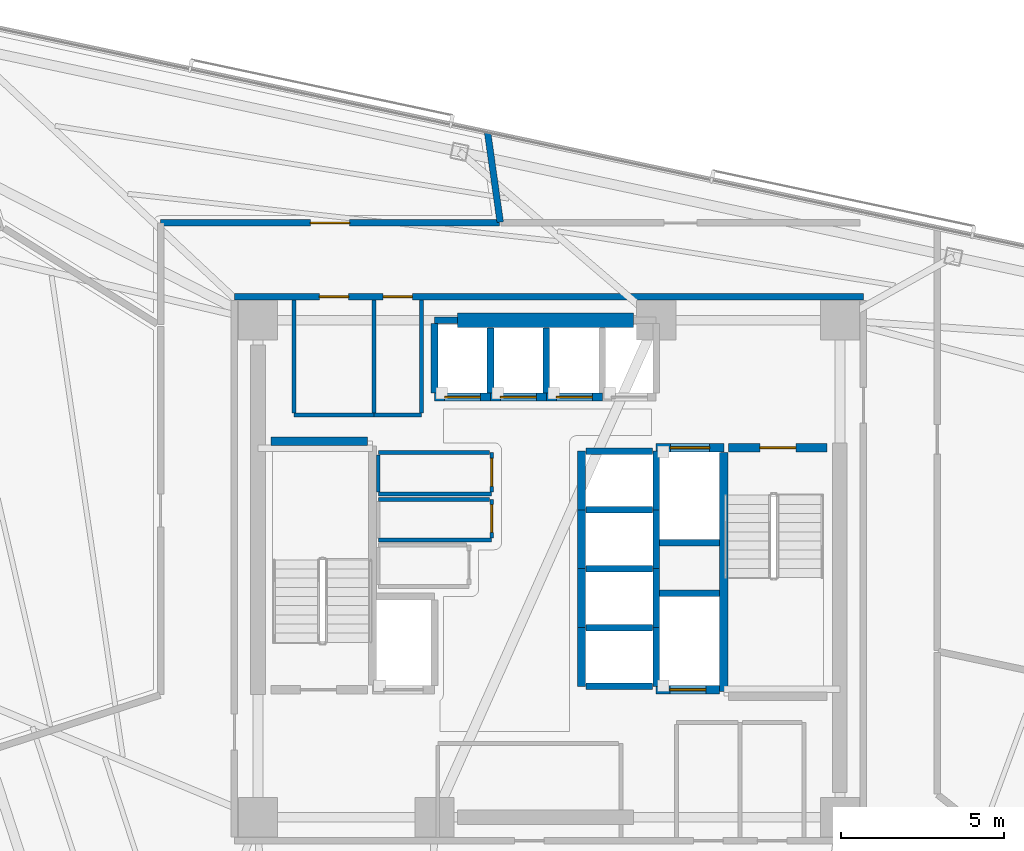
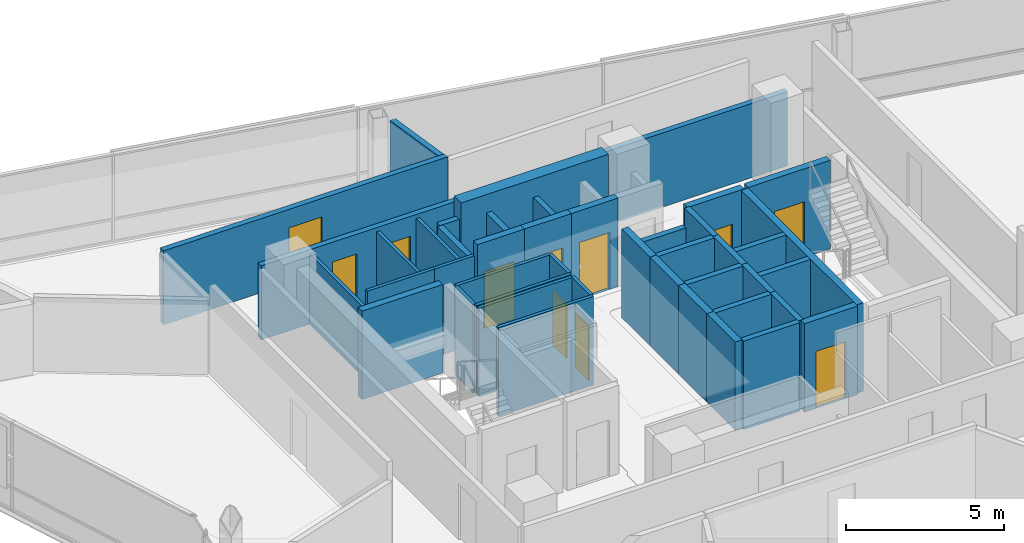
# One storey, part 11 of 17: 43 walls, 11 doors, 11 openings.
"""IFC4 building model written with IfcOpenShell, lengths in metres."""

from ifc_helpers import new_model, si_unit, direction, frame, frame_2d, origin, place, context, subcontext, project, spatial, rectangle, extrude, material, layer, layer_set, type_object, element, fill, save


model = new_model("IFC4")

# Units and contexts
model_context = context("Model", 3, precision=1e-05, world=origin(), true_north=direction((0.0, 1.0)))
body_context = subcontext(model_context, "Body", "Model", "MODEL_VIEW")
ifc_project = project(units=[si_unit("LENGTHUNIT", "METRE"), si_unit("AREAUNIT", "SQUARE_METRE"), si_unit("VOLUMEUNIT", "CUBIC_METRE"), si_unit("PLANEANGLEUNIT", "RADIAN"), si_unit("MASSUNIT", "GRAM", prefix="KILO")], contexts=[model_context])

# Site, building, storey
site_placement = place(None, origin())
site = spatial("IfcSite", under=ifc_project, at=site_placement, CompositionType="ELEMENT")
building_placement = place(site_placement, origin())
building = spatial("IfcBuilding", under=site, at=building_placement, Name="Tharavind Bronze Gate", CompositionType="ELEMENT")
storey_placement = place(building_placement, frame((0.0, 0.0, 207.64990234375)))
storey = spatial("IfcBuildingStorey", under=building, at=storey_placement, Name="L53", CompositionType="ELEMENT", Elevation=207.64990234375)

# Wall, openings, doors
ifc_material_1 = material(Name="Aerated Concrete Block", Category="concrete")
ifc_layer_1 = layer(ifc_material_1, 0.199951171875)
ifc_layer_set_1 = layer_set([ifc_layer_1], Name="Aerated Concrete Block")
wall_type_1 = type_object("IfcWallType", Name="FIRE RATED PARTITION 200", PredefinedType="PARTITIONING", material=ifc_layer_set_1)
wall_1_placement = place(storey_placement, frame((9.6201171875, 8.320068359375, 0.0), z_axis=(0.0, 0.0, 1.0), x_axis=(-1.0, 0.0, 0.0)))
wall_1 = element("IfcWall", 1, at=wall_1_placement, inside=storey, type_object=wall_type_1, Name="L53 north core corridor wall", PredefinedType="PARTITIONING", context=body_context, shape_type="SweptSolid", body=[
    extrude(rectangle(XDim=19.240234375, YDim=0.199951171875, at=frame_2d((9.6201171875, 0.0))), origin(), (0.0, 0.0, 1.0), 2.864990234375),
])
opening_1_placement = place(wall_1_placement, frame((15.7451171875, 0.0, 0.0)))
opening_1 = element("IfcOpeningElement", 2, at=opening_1_placement, cuts=wall_1, Name="Opening ID07", PredefinedType="OPENING", context=body_context, shape_type="SweptSolid", body=[
    extrude(rectangle(XDim=0.89990234375, YDim=2.10009765625, at=frame_2d((0.449951171875, 1.050048828125))), frame((0.0, 0.11009765625, 0.0), z_axis=(0.0, -1.0, 0.0), x_axis=(1.0, 0.0, 0.0)), (0.0, 0.0, 1.0), 0.219951171875),
])
opening_2_placement = place(wall_1_placement, frame((13.794921875, 0.0, 0.0)))
opening_2 = element("IfcOpeningElement", 3, at=opening_2_placement, cuts=wall_1, Name="Opening ID07", PredefinedType="OPENING", context=body_context, shape_type="SweptSolid", body=[
    extrude(rectangle(XDim=0.89990234375, YDim=2.10009765625, at=frame_2d((0.449951171875, 1.050048828125))), frame((0.0, 0.11009765625, 0.0), z_axis=(0.0, -1.0, 0.0), x_axis=(1.0, 0.0, 0.0)), (0.0, 0.0, 1.0), 0.219951171875),
])
ifc_material_2 = material(Name="Galvanised Fire Steel", Category="steel")
door_type_1 = type_object("IfcDoorType", Name="PLANT AND RISER FIRE DOOR 900X2100", OperationType="SINGLE_SWING_LEFT", PredefinedType="DOOR", material=ifc_material_2)
door_1_placement = place(opening_1_placement, origin())
door_1 = element("IfcDoor", 4, at=door_1_placement, inside=storey, type_object=door_type_1, Name="L53 Electrical Metering Room fire door", OperationType="SINGLE_SWING_LEFT", OverallHeight=2.10009765625, OverallWidth=0.89990234375, PredefinedType="DOOR", context=body_context, shape_type="SweptSolid", body=[
    extrude(rectangle(XDim=0.89990234375, YDim=2.10009765625, at=frame_2d((0.449951171875, 1.050048828125))), frame((0.0, 0.02490234375, 0.0), z_axis=(0.0, -1.0, 0.0), x_axis=(1.0, 0.0, 0.0)), (0.0, 0.0, 1.0), 0.050048828125),
])
fill(opening_1, door_1)
door_2_placement = place(opening_2_placement, origin())
door_2 = element("IfcDoor", 5, at=door_2_placement, inside=storey, type_object=door_type_1, Name="L53 Linen Cupboard fire door", OperationType="SINGLE_SWING_LEFT", OverallHeight=2.10009765625, OverallWidth=0.89990234375, PredefinedType="DOOR", context=body_context, shape_type="SweptSolid", body=[
    extrude(rectangle(XDim=0.89990234375, YDim=2.10009765625, at=frame_2d((0.449951171875, 1.050048828125))), frame((0.0, 0.02490234375, 0.0), z_axis=(0.0, -1.0, 0.0), x_axis=(1.0, 0.0, 0.0)), (0.0, 0.0, 1.0), 0.050048828125),
])
fill(opening_2, door_2)

# Wall
wall_2_placement = place(storey_placement, frame((-1.489990234375, 10.6015625, 0.0), z_axis=(0.0, 0.0, 1.0), x_axis=(-0.139168128583, 0.990268767551, 0.0)))
element("IfcWall", 6, at=wall_2_placement, inside=storey, type_object=wall_type_1, Name="L53 Upper Zone Open Office partition", PredefinedType="PARTITIONING", context=body_context, shape_type="SweptSolid", body=[
    extrude(rectangle(XDim=2.76123046875, YDim=0.199951171875, at=frame_2d((1.380615234375, 0.0))), origin(), (0.0, 0.0, 1.0), 2.715087890625),
])

# Wall, opening, door
wall_3_placement = place(storey_placement, frame((-1.515625, 10.580078125, 0.0), z_axis=(0.0, 0.0, 1.0), x_axis=(-1.0, 0.0, 0.0)))
wall_3 = element("IfcWall", 7, at=wall_3_placement, inside=storey, type_object=wall_type_1, Name="L53 Panoramic Boardroom partition", PredefinedType="PARTITIONING", context=body_context, shape_type="SweptSolid", body=[
    extrude(rectangle(XDim=10.36376953125, YDim=0.199951171875, at=frame_2d((5.181884765625, 0.0))), origin(), (0.0, 0.0, 1.0), 2.864990234375),
])
opening_3_placement = place(wall_3_placement, frame((4.58203125, 0.0, 0.0)))
opening_3 = element("IfcOpeningElement", 8, at=opening_3_placement, cuts=wall_3, Name="Opening ID05", PredefinedType="OPENING", context=body_context, shape_type="SweptSolid", body=[
    extrude(rectangle(XDim=1.199951171875, YDim=2.14990234375, at=frame_2d((0.60009765625, 1.074951171875))), frame((0.0, 0.11009765625, 0.0), z_axis=(0.0, -1.0, 0.0), x_axis=(1.0, 0.0, 0.0)), (0.0, 0.0, 1.0), 0.219951171875),
])
ifc_material_3 = material(Name="Acoustic Laminated Glass", Category="glass")
door_type_2 = type_object("IfcDoorType", Name="MEETING ROOM GLAZED DOOR 1200X2150", OperationType="SINGLE_SWING_LEFT", PredefinedType="DOOR", material=ifc_material_3)
door_3_placement = place(opening_3_placement, origin())
door_3 = element("IfcDoor", 9, at=door_3_placement, inside=storey, type_object=door_type_2, Name="L53 Panoramic Boardroom door", OperationType="SINGLE_SWING_LEFT", OverallHeight=2.14990234375, OverallWidth=1.199951171875, PredefinedType="DOOR", context=body_context, shape_type="SweptSolid", body=[
    extrude(rectangle(XDim=1.199951171875, YDim=2.14990234375, at=frame_2d((0.60009765625, 1.074951171875))), frame((0.0, 0.02490234375, 0.0), z_axis=(0.0, -1.0, 0.0), x_axis=(1.0, 0.0, 0.0)), (0.0, 0.0, 1.0), 0.050048828125),
])
fill(opening_3, door_3)

# Wall
ifc_material_4 = material(Name="Metal Stud Gypsum Partition", Category="gypsum")
ifc_layer_2 = layer(ifc_material_4, 0.1201171875)
ifc_layer_set_2 = layer_set([ifc_layer_2], Name="Metal Stud Gypsum Partition")
wall_type_2 = type_object("IfcWallType", Name="INTERIOR PARTITION WALL 120", PredefinedType="PARTITIONING", material=ifc_layer_set_2)
wall_4_placement = place(storey_placement, frame((-5.219970703125, 2.280029296875, 0.0), z_axis=(0.0, 0.0, 1.0), x_axis=(1.0, 0.0, 0.0)))
element("IfcWall", 10, at=wall_4_placement, inside=storey, type_object=wall_type_2, Name="L53 Housekeeping Linen Store partition 1", PredefinedType="PARTITIONING", context=body_context, shape_type="SweptSolid", body=[
    extrude(rectangle(XDim=3.469970703125, YDim=0.1201171875, at=frame_2d((1.73486328125, 0.0))), origin(), (0.0, 0.0, 1.0), 3.420166015625),
])

# Wall, opening, door
wall_5_placement = place(storey_placement, frame((-1.75, 2.344970703125, 0.0), z_axis=(0.0, 0.0, 1.0), x_axis=(0.0, 1.0, 0.0)))
wall_5 = element("IfcWall", 11, at=wall_5_placement, inside=storey, type_object=wall_type_2, Name="L53 Housekeeping Linen Store partition 2", PredefinedType="PARTITIONING", context=body_context, shape_type="SweptSolid", body=[
    extrude(rectangle(XDim=1.205078125, YDim=0.1201171875, at=frame_2d((0.6025390625, 0.0))), origin(), (0.0, 0.0, 1.0), 3.420166015625),
])
opening_4_placement = place(wall_5_placement, frame((0.177001953125, 0.0, 0.0)))
opening_4 = element("IfcOpeningElement", 12, at=opening_4_placement, cuts=wall_5, Name="Opening ID06", PredefinedType="OPENING", context=body_context, shape_type="SweptSolid", body=[
    extrude(rectangle(XDim=0.85009765625, YDim=2.10009765625, at=frame_2d((0.425048828125, 1.050048828125))), frame((0.0, 0.07005859375, 0.0), z_axis=(0.0, -1.0, 0.0), x_axis=(1.0, 0.0, 0.0)), (0.0, 0.0, 1.0), 0.1401171875),
])
ifc_material_5 = material(Name="Moisture-Resistant Timber", Category="wood")
door_type_3 = type_object("IfcDoorType", Name="BATHROOM PRIVACY DOOR 850X2100", OperationType="SINGLE_SWING_RIGHT", PredefinedType="DOOR", material=ifc_material_5)
door_4_placement = place(opening_4_placement, frame((0.85009765625, 0.0, 0.0), z_axis=(0.0, 0.0, 1.0), x_axis=(-1.0, 0.0, 0.0)))
door_4 = element("IfcDoor", 13, at=door_4_placement, inside=storey, type_object=door_type_3, Name="L53 Housekeeping Linen Store door", OperationType="SINGLE_SWING_RIGHT", OverallHeight=2.10009765625, OverallWidth=0.85009765625, PredefinedType="DOOR", context=body_context, shape_type="SweptSolid", body=[
    extrude(rectangle(XDim=0.85009765625, YDim=2.10009765625, at=frame_2d((0.425048828125, 1.050048828125))), frame((0.0, 0.02490234375, 0.0), z_axis=(0.0, -1.0, 0.0), x_axis=(1.0, 0.0, 0.0)), (0.0, 0.0, 1.0), 0.050048828125),
])
fill(opening_4, door_4)

# Walls
wall_6_placement = place(storey_placement, frame((-1.81494140625, 3.550048828125, 0.0), z_axis=(0.0, 0.0, 1.0), x_axis=(-1.0, 0.0, 0.0)))
element("IfcWall", 14, at=wall_6_placement, inside=storey, type_object=wall_type_2, Name="L53 Housekeeping Linen Store partition 3", PredefinedType="PARTITIONING", context=body_context, shape_type="SweptSolid", body=[
    extrude(rectangle(XDim=3.405029296875, YDim=0.1201171875, at=frame_2d((1.70263671875, 0.0))), origin(), (0.0, 0.0, 1.0), 3.420166015625),
])
wall_7_placement = place(storey_placement, frame((-5.219970703125, 3.485107421875, 0.0), z_axis=(0.0, 0.0, 1.0), x_axis=(0.0, -1.0, 0.0)))
element("IfcWall", 15, at=wall_7_placement, inside=storey, type_object=wall_type_2, Name="L53 Housekeeping Linen Store partition 4", PredefinedType="PARTITIONING", context=body_context, shape_type="SweptSolid", body=[
    extrude(rectangle(XDim=1.14013671875, YDim=0.1201171875, at=frame_2d((0.570068359375, 0.0))), origin(), (0.0, 0.0, 1.0), 3.420166015625),
])
wall_8_placement = place(storey_placement, frame((-5.219970703125, 0.8798828125, 0.0), z_axis=(0.0, 0.0, 1.0), x_axis=(1.0, 0.0, 0.0)))
element("IfcWall", 16, at=wall_8_placement, inside=storey, type_object=wall_type_2, Name="L53 Comms Data Room partition 1", PredefinedType="PARTITIONING", context=body_context, shape_type="SweptSolid", body=[
    extrude(rectangle(XDim=3.469970703125, YDim=0.1201171875, at=frame_2d((1.73486328125, 0.0))), origin(), (0.0, 0.0, 1.0), 3.420166015625),
])

# Wall, opening, door
wall_9_placement = place(storey_placement, frame((-1.75, 0.945068359375, 0.0), z_axis=(0.0, 0.0, 1.0), x_axis=(0.0, 1.0, 0.0)))
wall_9 = element("IfcWall", 17, at=wall_9_placement, inside=storey, type_object=wall_type_2, Name="L53 Comms Data Room partition 2", PredefinedType="PARTITIONING", context=body_context, shape_type="SweptSolid", body=[
    extrude(rectangle(XDim=1.175048828125, YDim=0.1201171875, at=frame_2d((0.58740234375, 0.0))), origin(), (0.0, 0.0, 1.0), 3.420166015625),
])
opening_5_placement = place(wall_9_placement, frame((0.1630859375, 0.0, 0.0)))
opening_5 = element("IfcOpeningElement", 18, at=opening_5_placement, cuts=wall_9, Name="Opening ID06", PredefinedType="OPENING", context=body_context, shape_type="SweptSolid", body=[
    extrude(rectangle(XDim=0.85009765625, YDim=2.10009765625, at=frame_2d((0.425048828125, 1.050048828125))), frame((0.0, 0.07005859375, 0.0), z_axis=(0.0, -1.0, 0.0), x_axis=(1.0, 0.0, 0.0)), (0.0, 0.0, 1.0), 0.1401171875),
])
door_5_placement = place(opening_5_placement, frame((0.85009765625, 0.0, 0.0), z_axis=(0.0, 0.0, 1.0), x_axis=(-1.0, 0.0, 0.0)))
door_5 = element("IfcDoor", 19, at=door_5_placement, inside=storey, type_object=door_type_3, Name="L53 Comms Data Room door", OperationType="SINGLE_SWING_RIGHT", OverallHeight=2.10009765625, OverallWidth=0.85009765625, PredefinedType="DOOR", context=body_context, shape_type="SweptSolid", body=[
    extrude(rectangle(XDim=0.85009765625, YDim=2.10009765625, at=frame_2d((0.425048828125, 1.050048828125))), frame((0.0, 0.02490234375, 0.0), z_axis=(0.0, -1.0, 0.0), x_axis=(1.0, 0.0, 0.0)), (0.0, 0.0, 1.0), 0.050048828125),
])
fill(opening_5, door_5)

# Walls
wall_10_placement = place(storey_placement, frame((-1.81494140625, 2.1201171875, 0.0), z_axis=(0.0, 0.0, 1.0), x_axis=(-1.0, 0.0, 0.0)))
element("IfcWall", 20, at=wall_10_placement, inside=storey, type_object=wall_type_2, Name="L53 Comms Data Room partition 3", PredefinedType="PARTITIONING", context=body_context, shape_type="SweptSolid", body=[
    extrude(rectangle(XDim=3.405029296875, YDim=0.1201171875, at=frame_2d((1.70263671875, 0.0))), origin(), (0.0, 0.0, 1.0), 3.420166015625),
])
wall_11_placement = place(storey_placement, frame((-7.800048828125, 4.699951171875, 0.0), z_axis=(0.0, 0.0, 1.0), x_axis=(1.0, 0.0, 0.0)))
element("IfcWall", 21, at=wall_11_placement, inside=storey, type_object=wall_type_2, Name="L53 Electrical Metering Room partition 1", PredefinedType="PARTITIONING", context=body_context, shape_type="SweptSolid", body=[
    extrude(rectangle(XDim=2.449951171875, YDim=0.1201171875, at=frame_2d((1.22509765625, 0.0))), origin(), (0.0, 0.0, 1.0), 3.420166015625),
])
for number, where, z_axis, x_axis, name in (
    (22, (-5.35009765625, 4.764892578125, 0.0), (0.0, 0.0, 1.0), (0.0, 1.0, 0.0), "L53 Electrical Metering Room partition 2"),
    (23, (-7.800048828125, 8.215087890625, 0.0), (0.0, 0.0, 1.0), (0.0, -1.0, 0.0), "L53 Electrical Metering Room partition 4"),
):
    element("IfcWall", number, at=place(storey_placement, frame(where, z_axis=z_axis, x_axis=x_axis)), inside=storey, type_object=wall_type_2, Name=name, PredefinedType="PARTITIONING", context=body_context, shape_type="SweptSolid", body=[
        extrude(rectangle(XDim=3.4501953125, YDim=0.1201171875, at=frame_2d((1.72509765625, 0.0))), origin(), (0.0, 0.0, 1.0), 2.715087890625),
    ])
wall_12_placement = place(storey_placement, frame((-5.35009765625, 4.699951171875, 0.0), z_axis=(0.0, 0.0, 1.0), x_axis=(1.0, 0.0, 0.0)))
element("IfcWall", 24, at=wall_12_placement, inside=storey, type_object=wall_type_2, Name="L53 Linen Cupboard partition 1", PredefinedType="PARTITIONING", context=body_context, shape_type="SweptSolid", body=[
    extrude(rectangle(XDim=1.4501953125, YDim=0.1201171875, at=frame_2d((0.72509765625, 0.0))), origin(), (0.0, 0.0, 1.0), 3.420166015625),
])
wall_13_placement = place(storey_placement, frame((-3.89990234375, 4.764892578125, 0.0), z_axis=(0.0, 0.0, 1.0), x_axis=(0.0, 1.0, 0.0)))
element("IfcWall", 25, at=wall_13_placement, inside=storey, type_object=wall_type_2, Name="L53 Linen Cupboard partition 2", PredefinedType="PARTITIONING", context=body_context, shape_type="SweptSolid", body=[
    extrude(rectangle(XDim=3.4501953125, YDim=0.1201171875, at=frame_2d((1.72509765625, 0.0))), origin(), (0.0, 0.0, 1.0), 2.715087890625),
])
ifc_material_6 = material(Name="Concrete C50/60", Category="concrete")
ifc_layer_3 = layer(ifc_material_6, 0.25)
ifc_layer_set_3 = layer_set([ifc_layer_3], Name="Concrete C50/60")
wall_type_3 = type_object("IfcWallType", Name="RC CORE SHEAR WALL 250", PredefinedType="SHEAR", material=ifc_layer_set_3)
wall_14_placement = place(storey_placement, frame((-8.5, 3.89990234375, 0.0), z_axis=(0.0, 0.0, 1.0), x_axis=(1.0, 0.0, 0.0)))
element("IfcWall", 26, at=wall_14_placement, inside=storey, type_object=wall_type_3, Name="L53 ST1 shaft north wall", PredefinedType="SHEAR", context=body_context, shape_type="SweptSolid", body=[
    extrude(rectangle(XDim=2.949951171875, YDim=0.25, at=frame_2d((1.47509765625, 0.0))), origin(), (0.0, 0.0, 1.0), 3.420166015625),
])
wall_15_placement = place(storey_placement, frame((5.35009765625, -3.75, 0.0), z_axis=(0.0, 0.0, 1.0), x_axis=(0.0, 1.0, 0.0)))
element("IfcWall", 27, at=wall_15_placement, inside=storey, type_object=wall_type_3, Name="L53 ST2 shaft west wall", PredefinedType="SHEAR", context=body_context, shape_type="SweptSolid", body=[
    extrude(rectangle(XDim=7.300048828125, YDim=0.25, at=frame_2d((3.64990234375, 0.0))), origin(), (0.0, 0.0, 1.0), 3.420166015625),
])

# Wall, opening, door
wall_16_placement = place(storey_placement, frame((5.5, 3.699951171875, 0.0), z_axis=(0.0, 0.0, 1.0), x_axis=(1.0, 0.0, 0.0)))
wall_16 = element("IfcWall", 28, at=wall_16_placement, inside=storey, type_object=wall_type_3, Name="L53 ST2 shaft north wall", PredefinedType="SHEAR", context=body_context, shape_type="SweptSolid", body=[
    extrude(rectangle(XDim=3.0, YDim=0.25, at=frame_2d((1.5, 0.0))), origin(), (0.0, 0.0, 1.0), 3.420166015625),
])
opening_6_placement = place(wall_16_placement, frame((0.949951171875, 0.0, 0.0)))
opening_6 = element("IfcOpeningElement", 29, at=opening_6_placement, cuts=wall_16, Name="Opening ID01", PredefinedType="OPENING", context=body_context, shape_type="SweptSolid", body=[
    extrude(rectangle(XDim=1.10009765625, YDim=2.14990234375, at=frame_2d((0.550048828125, 1.074951171875))), frame((0.0, 0.135, 0.0), z_axis=(0.0, -1.0, 0.0), x_axis=(1.0, 0.0, 0.0)), (0.0, 0.0, 1.0), 0.27),
])
ifc_material_7 = material(Name="Fire-Rated Steel", Category="steel")
door_type_4 = type_object("IfcDoorType", Name="STAIR CORE FIRE DOOR 1100X2150", OperationType="SINGLE_SWING_LEFT", PredefinedType="DOOR", material=ifc_material_7)
door_6_placement = place(opening_6_placement, frame((1.10009765625, 0.0, 0.0), z_axis=(0.0, 0.0, 1.0), x_axis=(-1.0, 0.0, 0.0)))
door_6 = element("IfcDoor", 30, at=door_6_placement, inside=storey, type_object=door_type_4, Name="L53 exit stair ST2 fire door", OperationType="SINGLE_SWING_LEFT", OverallHeight=2.14990234375, OverallWidth=1.10009765625, PredefinedType="DOOR", context=body_context, shape_type="SweptSolid", body=[
    extrude(rectangle(XDim=1.10009765625, YDim=2.14990234375, at=frame_2d((0.550048828125, 1.074951171875))), frame((0.0, 0.02490234375, 0.0), z_axis=(0.0, -1.0, 0.0), x_axis=(1.0, 0.0, 0.0)), (0.0, 0.0, 1.0), 0.050048828125),
])
fill(opening_6, door_6)

wall_17_placement = place(storey_placement, frame((-3.5, 5.25, 0.0), z_axis=(0.0, 0.0, 1.0), x_axis=(1.0, 0.0, 0.0)))
wall_17 = element("IfcWall", 31, at=wall_17_placement, inside=storey, type_object=wall_type_3, Name="L53 lift PL5 shaft front wall", PredefinedType="SHEAR", context=body_context, shape_type="SweptSolid", body=[
    extrude(rectangle(XDim=1.71240234375, YDim=0.25, at=frame_2d((0.856201171875, 0.0))), origin(), (0.0, 0.0, 1.0), 3.420166015625),
])
opening_7_placement = place(wall_17_placement, frame((0.305908203125, 0.0, 0.0)))
opening_7 = element("IfcOpeningElement", 32, at=opening_7_placement, cuts=wall_17, Name="Opening LD01", PredefinedType="OPENING", context=body_context, shape_type="SweptSolid", body=[
    extrude(rectangle(XDim=1.10009765625, YDim=2.199951171875, at=frame_2d((0.550048828125, 1.10009765625))), frame((0.0, 0.135, 0.0), z_axis=(0.0, -1.0, 0.0), x_axis=(1.0, 0.0, 0.0)), (0.0, 0.0, 1.0), 0.27),
])
ifc_material_8 = material(Name="Brushed Bronze Stainless Steel", Category="steel")
door_type_5 = type_object("IfcDoorType", Name="LIFT LANDING SLIDING DOOR 1100X2200", OperationType="SLIDING_TO_LEFT", PredefinedType="DOOR", material=ifc_material_8)
door_7_placement = place(opening_7_placement, origin())
door_7 = element("IfcDoor", 33, at=door_7_placement, inside=storey, type_object=door_type_5, Name="L53 lift PL5 sliding landing door", OperationType="SLIDING_TO_LEFT", OverallHeight=2.199951171875, OverallWidth=1.10009765625, PredefinedType="DOOR", context=body_context, shape_type="SweptSolid", body=[
    extrude(rectangle(XDim=1.10009765625, YDim=2.199951171875, at=frame_2d((0.550048828125, 1.10009765625))), frame((0.0, 0.02490234375, 0.0), z_axis=(0.0, -1.0, 0.0), x_axis=(1.0, 0.0, 0.0)), (0.0, 0.0, 1.0), 0.050048828125),
])
fill(opening_7, door_7)

wall_18_placement = place(storey_placement, frame((-1.78759765625, 5.25, 0.0), z_axis=(0.0, 0.0, 1.0), x_axis=(1.0, 0.0, 0.0)))
wall_18 = element("IfcWall", 34, at=wall_18_placement, inside=storey, type_object=wall_type_3, Name="L53 lift PL6 shaft front wall", PredefinedType="SHEAR", context=body_context, shape_type="SweptSolid", body=[
    extrude(rectangle(XDim=1.712646484375, YDim=0.25, at=frame_2d((0.8564453125, 0.0))), origin(), (0.0, 0.0, 1.0), 3.420166015625),
])
opening_8_placement = place(wall_18_placement, frame((0.305908203125, 0.0, 0.0)))
opening_8 = element("IfcOpeningElement", 35, at=opening_8_placement, cuts=wall_18, Name="Opening LD01", PredefinedType="OPENING", context=body_context, shape_type="SweptSolid", body=[
    extrude(rectangle(XDim=1.10009765625, YDim=2.199951171875, at=frame_2d((0.550048828125, 1.10009765625))), frame((0.0, 0.135, 0.0), z_axis=(0.0, -1.0, 0.0), x_axis=(1.0, 0.0, 0.0)), (0.0, 0.0, 1.0), 0.27),
])
door_8_placement = place(opening_8_placement, origin())
door_8 = element("IfcDoor", 36, at=door_8_placement, inside=storey, type_object=door_type_5, Name="L53 lift PL6 sliding landing door", OperationType="SLIDING_TO_LEFT", OverallHeight=2.199951171875, OverallWidth=1.10009765625, PredefinedType="DOOR", context=body_context, shape_type="SweptSolid", body=[
    extrude(rectangle(XDim=1.10009765625, YDim=2.199951171875, at=frame_2d((0.550048828125, 1.10009765625))), frame((0.0, 0.02490234375, 0.0), z_axis=(0.0, -1.0, 0.0), x_axis=(1.0, 0.0, 0.0)), (0.0, 0.0, 1.0), 0.050048828125),
])
fill(opening_8, door_8)

wall_19_placement = place(storey_placement, frame((-0.074951171875, 5.25, 0.0), z_axis=(0.0, 0.0, 1.0), x_axis=(1.0, 0.0, 0.0)))
wall_19 = element("IfcWall", 37, at=wall_19_placement, inside=storey, type_object=wall_type_3, Name="L53 lift PL7 shaft front wall", PredefinedType="SHEAR", context=body_context, shape_type="SweptSolid", body=[
    extrude(rectangle(XDim=1.71240234375, YDim=0.25, at=frame_2d((0.856201171875, 0.0))), origin(), (0.0, 0.0, 1.0), 3.420166015625),
])
opening_9_placement = place(wall_19_placement, frame((0.305908203125, 0.0, 0.0)))
opening_9 = element("IfcOpeningElement", 38, at=opening_9_placement, cuts=wall_19, Name="Opening LD01", PredefinedType="OPENING", context=body_context, shape_type="SweptSolid", body=[
    extrude(rectangle(XDim=1.10009765625, YDim=2.199951171875, at=frame_2d((0.550048828125, 1.10009765625))), frame((0.0, 0.135, 0.0), z_axis=(0.0, -1.0, 0.0), x_axis=(1.0, 0.0, 0.0)), (0.0, 0.0, 1.0), 0.27),
])
door_9_placement = place(opening_9_placement, origin())
door_9 = element("IfcDoor", 39, at=door_9_placement, inside=storey, type_object=door_type_5, Name="L53 lift PL7 sliding landing door", OperationType="SLIDING_TO_LEFT", OverallHeight=2.199951171875, OverallWidth=1.10009765625, PredefinedType="DOOR", context=body_context, shape_type="SweptSolid", body=[
    extrude(rectangle(XDim=1.10009765625, YDim=2.199951171875, at=frame_2d((0.550048828125, 1.10009765625))), frame((0.0, 0.02490234375, 0.0), z_axis=(0.0, -1.0, 0.0), x_axis=(1.0, 0.0, 0.0)), (0.0, 0.0, 1.0), 0.050048828125),
])
fill(opening_9, door_9)

# Walls
for number, where, z_axis, x_axis, name in (
    (40, (1.0, -3.60009765625, 0.0), (0.0, 0.0, 1.0), (0.0, 1.0, 0.0), "L53 lift PL9 shaft front wall"),
    (41, (1.0, -1.800048828125, 0.0), (0.0, 0.0, 1.0), (0.0, 1.0, 0.0), "L53 lift PL10 shaft front wall"),
    (42, (1.0, 0.0, 0.0), (0.0, 0.0, 1.0), (0.0, 1.0, 0.0), "L53 lift PL11 shaft front wall"),
    (43, (1.0, 1.800048828125, 0.0), (0.0, 0.0, 1.0), (0.0, 1.0, 0.0), "L53 lift PL12 shaft front wall"),
):
    element("IfcWall", number, at=place(storey_placement, frame(where, z_axis=z_axis, x_axis=x_axis)), inside=storey, type_object=wall_type_3, Name=name, PredefinedType="SHEAR", context=body_context, shape_type="SweptSolid", body=[
        extrude(rectangle(XDim=1.800048828125, YDim=0.25, at=frame_2d((0.89990234375, 0.0))), origin(), (0.0, 0.0, 1.0), 3.420166015625),
    ])

# Wall, opening, door
wall_20_placement = place(storey_placement, frame((3.280029296875, 3.699951171875, 0.0), z_axis=(0.0, 0.0, 1.0), x_axis=(1.0, 0.0, 0.0)))
wall_20 = element("IfcWall", 44, at=wall_20_placement, inside=storey, type_object=wall_type_3, Name="L53 lift FFL2 shaft front wall", PredefinedType="SHEAR", context=body_context, shape_type="SweptSolid", body=[
    extrude(rectangle(XDim=2.070068359375, YDim=0.25, at=frame_2d((1.03515625, 0.0))), origin(), (0.0, 0.0, 1.0), 3.420166015625),
])
opening_10_placement = place(wall_20_placement, frame((0.43505859375, 0.0, 0.0)))
opening_10 = element("IfcOpeningElement", 45, at=opening_10_placement, cuts=wall_20, Name="Opening LD02", PredefinedType="OPENING", context=body_context, shape_type="SweptSolid", body=[
    extrude(rectangle(XDim=1.199951171875, YDim=2.199951171875, at=frame_2d((0.60009765625, 1.10009765625))), frame((0.0, 0.135, 0.0), z_axis=(0.0, -1.0, 0.0), x_axis=(1.0, 0.0, 0.0)), (0.0, 0.0, 1.0), 0.27),
])
ifc_material_9 = material(Name="Brushed Stainless Steel", Category="steel")
door_type_6 = type_object("IfcDoorType", Name="FIREFIGHTING LIFT LANDING DOOR 1200X2200", OperationType="SLIDING_TO_RIGHT", PredefinedType="DOOR", material=ifc_material_9)
door_10_placement = place(opening_10_placement, origin())
door_10 = element("IfcDoor", 46, at=door_10_placement, inside=storey, type_object=door_type_6, Name="L53 lift FFL2 sliding landing door", OperationType="SLIDING_TO_RIGHT", OverallHeight=2.199951171875, OverallWidth=1.199951171875, PredefinedType="DOOR", context=body_context, shape_type="SweptSolid", body=[
    extrude(rectangle(XDim=1.199951171875, YDim=2.199951171875, at=frame_2d((0.60009765625, 1.10009765625))), frame((0.0, 0.02490234375, 0.0), z_axis=(0.0, -1.0, 0.0), x_axis=(1.0, 0.0, 0.0)), (0.0, 0.0, 1.0), 0.050048828125),
])
fill(opening_10, door_10)

wall_21_placement = place(storey_placement, frame((3.280029296875, -3.699951171875, 0.0), z_axis=(0.0, 0.0, 1.0), x_axis=(1.0, 0.0, 0.0)))
wall_21 = element("IfcWall", 47, at=wall_21_placement, inside=storey, type_object=wall_type_3, Name="L53 lift SVL1 shaft front wall", PredefinedType="SHEAR", context=body_context, shape_type="SweptSolid", body=[
    extrude(rectangle(XDim=1.93994140625, YDim=0.25, at=frame_2d((0.969970703125, 0.0))), origin(), (0.0, 0.0, 1.0), 3.420166015625),
])
opening_11_placement = place(wall_21_placement, frame((0.419921875, 0.0, 0.0)))
opening_11 = element("IfcOpeningElement", 48, at=opening_11_placement, cuts=wall_21, Name="Opening LD01", PredefinedType="OPENING", context=body_context, shape_type="SweptSolid", body=[
    extrude(rectangle(XDim=1.10009765625, YDim=2.199951171875, at=frame_2d((0.550048828125, 1.10009765625))), frame((0.0, 0.135, 0.0), z_axis=(0.0, -1.0, 0.0), x_axis=(1.0, 0.0, 0.0)), (0.0, 0.0, 1.0), 0.27),
])
door_11_placement = place(opening_11_placement, origin())
door_11 = element("IfcDoor", 49, at=door_11_placement, inside=storey, type_object=door_type_5, Name="L53 lift SVL1 sliding landing door", OperationType="SLIDING_TO_LEFT", OverallHeight=2.199951171875, OverallWidth=1.10009765625, PredefinedType="DOOR", context=body_context, shape_type="SweptSolid", body=[
    extrude(rectangle(XDim=1.10009765625, YDim=2.199951171875, at=frame_2d((0.550048828125, 1.10009765625))), frame((0.0, 0.02490234375, 0.0), z_axis=(0.0, -1.0, 0.0), x_axis=(1.0, 0.0, 0.0)), (0.0, 0.0, 1.0), 0.050048828125),
])
fill(opening_11, door_11)

# Walls
ifc_material_10 = material(Name="Concrete C60/75", Category="concrete")
ifc_layer_4 = layer(ifc_material_10, 0.449951171875)
ifc_layer_set_4 = layer_set([ifc_layer_4], Name="Concrete C60/75")
wall_type_4 = type_object("IfcWallType", Name="RC CORE SHEAR WALL 450", PredefinedType="SHEAR", material=ifc_layer_set_4)
wall_22_placement = place(storey_placement, frame((-2.800048828125, 7.60009765625, 0.0), z_axis=(0.0, 0.0, 1.0), x_axis=(1.0, 0.0, 0.0)))
element("IfcWall", 50, at=wall_22_placement, inside=storey, type_object=wall_type_4, Name="L53 north core shear wall", PredefinedType="SHEAR", context=body_context, shape_type="SweptSolid", body=[
    extrude(rectangle(XDim=5.380126953125, YDim=0.449951171875, at=frame_2d((2.68994140625, 0.0))), origin(), (0.0, 0.0, 1.0), 3.420166015625),
])
ifc_material_11 = material(Name="Concrete C40/50", Category="concrete")
ifc_layer_5 = layer(ifc_material_11, 0.199951171875)
ifc_layer_set_5 = layer_set([ifc_layer_5], Name="Concrete C40/50")
wall_type_5 = type_object("IfcWallType", Name="SHAFT ENCLOSURE WALL 200", PredefinedType="PARTITIONING", material=ifc_layer_set_5)
wall_23_placement = place(storey_placement, frame((-3.5, 7.60009765625, 0.0), z_axis=(0.0, 0.0, 1.0), x_axis=(1.0, 0.0, 0.0)))
element("IfcWall", 51, at=wall_23_placement, inside=storey, type_object=wall_type_5, Name="L53 lift PL5 shaft N enclosure wall", PredefinedType="PARTITIONING", context=body_context, shape_type="SweptSolid", body=[
    extrude(rectangle(XDim=0.699951171875, YDim=0.199951171875, at=frame_2d((0.35009765625, 0.0))), origin(), (0.0, 0.0, 1.0), 2.715087890625),
])
wall_24_placement = place(storey_placement, frame((-3.5, 5.3798828125, 0.0), z_axis=(0.0, 0.0, 1.0), x_axis=(0.0, 1.0, 0.0)))
element("IfcWall", 52, at=wall_24_placement, inside=storey, type_object=wall_type_5, Name="L53 lift PL5 shaft W enclosure wall", PredefinedType="PARTITIONING", context=body_context, shape_type="SweptSolid", body=[
    extrude(rectangle(XDim=2.115234375, YDim=0.199951171875, at=frame_2d((1.0576171875, 0.0))), origin(), (0.0, 0.0, 1.0), 2.715087890625),
])
for number, where, z_axis, x_axis, name in (
    (53, (-1.78759765625, 5.3798828125, 0.0), (0.0, 0.0, 1.0), (0.0, 1.0, 0.0), "L53 lift PL5 shaft E enclosure wall"),
    (54, (-0.074951171875, 5.3798828125, 0.0), (0.0, 0.0, 1.0), (0.0, 1.0, 0.0), "L53 lift PL6 shaft E enclosure wall"),
):
    element("IfcWall", number, at=place(storey_placement, frame(where, z_axis=z_axis, x_axis=x_axis)), inside=storey, type_object=wall_type_5, Name=name, PredefinedType="PARTITIONING", context=body_context, shape_type="SweptSolid", body=[
        extrude(rectangle(XDim=1.990234375, YDim=0.199951171875, at=frame_2d((0.9951171875, 0.0))), origin(), (0.0, 0.0, 1.0), 2.715087890625),
    ])
wall_25_placement = place(storey_placement, frame((3.280029296875, -3.60009765625, 0.0), z_axis=(0.0, 0.0, 1.0), x_axis=(0.0, 1.0, 0.0)))
element("IfcWall", 55, at=wall_25_placement, inside=storey, type_object=wall_type_5, Name="L53 lift PL9 shaft E enclosure wall", PredefinedType="PARTITIONING", context=body_context, shape_type="SweptSolid", body=[
    extrude(rectangle(XDim=1.800048828125, YDim=0.199951171875, at=frame_2d((0.89990234375, 0.0))), origin(), (0.0, 0.0, 1.0), 3.420166015625),
])
for number, where, z_axis, x_axis, name in (
    (56, (1.1298828125, -3.60009765625, 0.0), (0.0, 0.0, 1.0), (1.0, 0.0, 0.0), "L53 lift PL9 shaft S enclosure wall"),
    (57, (1.1298828125, -1.800048828125, 0.0), (0.0, 0.0, 1.0), (1.0, 0.0, 0.0), "L53 lift PL9 shaft N enclosure wall"),
):
    element("IfcWall", number, at=place(storey_placement, frame(where, z_axis=z_axis, x_axis=x_axis)), inside=storey, type_object=wall_type_5, Name=name, PredefinedType="PARTITIONING", context=body_context, shape_type="SweptSolid", body=[
        extrude(rectangle(XDim=2.045166015625, YDim=0.199951171875, at=frame_2d((1.0224609375, 0.0))), origin(), (0.0, 0.0, 1.0), 3.420166015625),
    ])
wall_26_placement = place(storey_placement, frame((3.280029296875, -1.800048828125, 0.0), z_axis=(0.0, 0.0, 1.0), x_axis=(0.0, 1.0, 0.0)))
element("IfcWall", 58, at=wall_26_placement, inside=storey, type_object=wall_type_5, Name="L53 lift PL10 shaft E enclosure wall", PredefinedType="PARTITIONING", context=body_context, shape_type="SweptSolid", body=[
    extrude(rectangle(XDim=1.800048828125, YDim=0.199951171875, at=frame_2d((0.89990234375, 0.0))), origin(), (0.0, 0.0, 1.0), 3.420166015625),
])
wall_27_placement = place(storey_placement, frame((1.1298828125, 0.0, 0.0), z_axis=(0.0, 0.0, 1.0), x_axis=(1.0, 0.0, 0.0)))
element("IfcWall", 59, at=wall_27_placement, inside=storey, type_object=wall_type_5, Name="L53 lift PL10 shaft N enclosure wall", PredefinedType="PARTITIONING", context=body_context, shape_type="SweptSolid", body=[
    extrude(rectangle(XDim=2.045166015625, YDim=0.199951171875, at=frame_2d((1.0224609375, 0.0))), origin(), (0.0, 0.0, 1.0), 3.420166015625),
])
wall_28_placement = place(storey_placement, frame((3.280029296875, 0.0, 0.0), z_axis=(0.0, 0.0, 1.0), x_axis=(0.0, 1.0, 0.0)))
element("IfcWall", 60, at=wall_28_placement, inside=storey, type_object=wall_type_5, Name="L53 lift PL11 shaft E enclosure wall", PredefinedType="PARTITIONING", context=body_context, shape_type="SweptSolid", body=[
    extrude(rectangle(XDim=1.800048828125, YDim=0.199951171875, at=frame_2d((0.89990234375, 0.0))), origin(), (0.0, 0.0, 1.0), 3.420166015625),
])
wall_29_placement = place(storey_placement, frame((1.1298828125, 1.800048828125, 0.0), z_axis=(0.0, 0.0, 1.0), x_axis=(1.0, 0.0, 0.0)))
element("IfcWall", 61, at=wall_29_placement, inside=storey, type_object=wall_type_5, Name="L53 lift PL11 shaft N enclosure wall", PredefinedType="PARTITIONING", context=body_context, shape_type="SweptSolid", body=[
    extrude(rectangle(XDim=2.045166015625, YDim=0.199951171875, at=frame_2d((1.0224609375, 0.0))), origin(), (0.0, 0.0, 1.0), 3.420166015625),
])
wall_30_placement = place(storey_placement, frame((3.280029296875, 1.800048828125, 0.0), z_axis=(0.0, 0.0, 1.0), x_axis=(0.0, 1.0, 0.0)))
element("IfcWall", 62, at=wall_30_placement, inside=storey, type_object=wall_type_5, Name="L53 lift PL12 shaft E enclosure wall", PredefinedType="PARTITIONING", context=body_context, shape_type="SweptSolid", body=[
    extrude(rectangle(XDim=1.800048828125, YDim=0.199951171875, at=frame_2d((0.89990234375, 0.0))), origin(), (0.0, 0.0, 1.0), 3.420166015625),
])
wall_31_placement = place(storey_placement, frame((1.1298828125, 3.60009765625, 0.0), z_axis=(0.0, 0.0, 1.0), x_axis=(1.0, 0.0, 0.0)))
element("IfcWall", 63, at=wall_31_placement, inside=storey, type_object=wall_type_5, Name="L53 lift PL12 shaft N enclosure wall", PredefinedType="PARTITIONING", context=body_context, shape_type="SweptSolid", body=[
    extrude(rectangle(XDim=2.045166015625, YDim=0.199951171875, at=frame_2d((1.0224609375, 0.0))), origin(), (0.0, 0.0, 1.0), 2.715087890625),
])
for number, where, z_axis, x_axis, name in (
    (64, (3.385009765625, 0.800048828125, 0.0), (0.0, 0.0, 1.0), (1.0, 0.0, 0.0), "L53 lift FFL2 shaft S enclosure wall"),
    (65, (3.385009765625, -0.75, 0.0), (0.0, 0.0, 1.0), (1.0, 0.0, 0.0), "L53 lift SVL1 shaft N enclosure wall"),
):
    element("IfcWall", number, at=place(storey_placement, frame(where, z_axis=z_axis, x_axis=x_axis)), inside=storey, type_object=wall_type_5, Name=name, PredefinedType="PARTITIONING", context=body_context, shape_type="SweptSolid", body=[
        extrude(rectangle(XDim=1.8349609375, YDim=0.199951171875, at=frame_2d((0.91748046875, 0.0))), origin(), (0.0, 0.0, 1.0), 3.420166015625),
    ])

save(model, "model.ifc")
